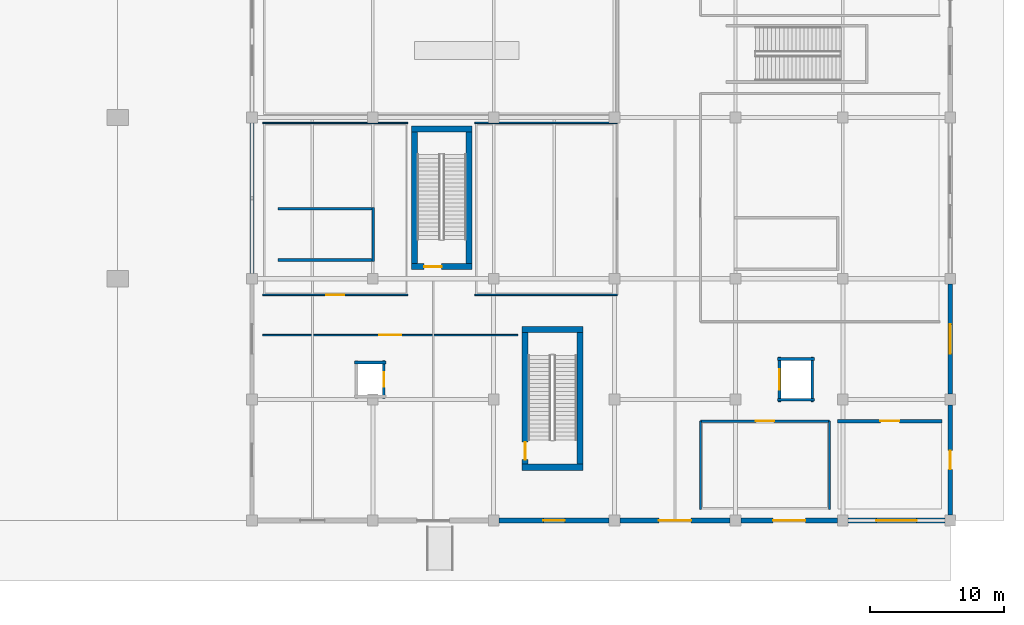
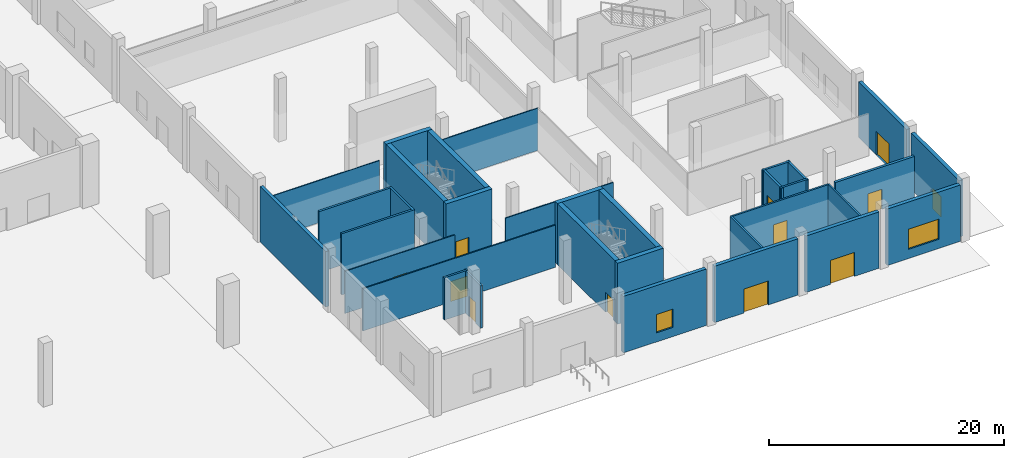
# One storey, part 22 of 65: 33 walls, 12 doors, 2 windows, 14 openings.
"""IFC4 building model written with IfcOpenShell, lengths in metres."""

from ifc_helpers import new_model, si_unit, direction, frame, frame_2d, origin, place, context, subcontext, project, spatial, rectangle, extrude, material, layer, layer_set, type_object, element, fill, save


model = new_model("IFC4")

# Units and contexts
model_context = context("Model", 3, precision=1e-05, world=origin(), true_north=direction((0.0, 1.0)))
body_context = subcontext(model_context, "Body", "Model", "MODEL_VIEW")
ifc_project = project(units=[si_unit("LENGTHUNIT", "METRE"), si_unit("AREAUNIT", "SQUARE_METRE"), si_unit("VOLUMEUNIT", "CUBIC_METRE"), si_unit("PLANEANGLEUNIT", "RADIAN"), si_unit("MASSUNIT", "GRAM", prefix="KILO")], contexts=[model_context])

# Site, building, storey
site_placement = place(None, origin())
site = spatial("IfcSite", under=ifc_project, at=site_placement, CompositionType="ELEMENT")
building_placement = place(site_placement, origin())
building = spatial("IfcBuilding", under=site, at=building_placement, Name="Chuanluo Vaults Station", CompositionType="ELEMENT")
storey_placement = place(building_placement, origin())
storey = spatial("IfcBuildingStorey", under=building, at=storey_placement, Name="L00", CompositionType="ELEMENT", Elevation=0.0)

# Walls
ifc_material_1 = material(Name="Concrete C50", Category="concrete")
ifc_layer_1 = layer(ifc_material_1, 0.449951171875)
ifc_layer_set_1 = layer_set([ifc_layer_1], Name="Concrete C50")
wall_type_1 = type_object("IfcWallType", Name="WL-COR-450", PredefinedType="SHEAR", material=ifc_layer_set_1)
for number, where, z_axis, x_axis, name in (
    (1, (152.16259765625, 18.675048828125, 0.0), (0.0, 0.0, 1.0), (0.0, 1.0, 0.0), "Core K4 left shear wall"),
    (2, (148.092529296875, 29.37255859375, 0.0), (0.0, 0.0, 1.0), (0.0, -1.0, 0.0), "Core K4 right shear wall"),
):
    element("IfcWall", number, at=place(storey_placement, frame(where, z_axis=z_axis, x_axis=x_axis)), inside=storey, type_object=wall_type_1, Name=name, PredefinedType="SHEAR", context=body_context, shape_type="SweptSolid", body=[
        extrude(rectangle(XDim=10.697509765625, YDim=0.449951171875, at=frame_2d((5.3486328125, 0.0))), origin(), (0.0, 0.0, 1.0), 6.360107421875),
    ])
wall_1_placement = place(storey_placement, frame((152.387451171875, 29.1474609375, 0.0), z_axis=(0.0, 0.0, 1.0), x_axis=(-1.0, 0.0, 0.0)))
element("IfcWall", 3, at=wall_1_placement, inside=storey, type_object=wall_type_1, Name="Core K4 far shear wall", PredefinedType="SHEAR", context=body_context, shape_type="SweptSolid", body=[
    extrude(rectangle(XDim=4.52001953125, YDim=0.449951171875, at=frame_2d((2.260009765625, 0.0))), origin(), (0.0, 0.0, 1.0), 6.360107421875),
])

# Wall, opening, door
wall_2_placement = place(storey_placement, frame((147.867431640625, 18.89990234375, 0.0), z_axis=(0.0, 0.0, 1.0), x_axis=(1.0, 0.0, 0.0)))
wall_2 = element("IfcWall", 4, at=wall_2_placement, inside=storey, type_object=wall_type_1, Name="Core K4 near shear wall", PredefinedType="SHEAR", context=body_context, shape_type="SweptSolid", body=[
    extrude(rectangle(XDim=4.52001953125, YDim=0.449951171875, at=frame_2d((2.260009765625, 0.0))), origin(), (0.0, 0.0, 1.0), 6.360107421875),
])
opening_1_placement = place(wall_2_placement, frame((0.949951171875, 0.0, 0.0)))
opening_1 = element("IfcOpeningElement", 5, at=opening_1_placement, cuts=wall_2, Name="Opening FD-05", PredefinedType="OPENING", context=body_context, shape_type="SweptSolid", body=[
    extrude(rectangle(XDim=1.300048828125, YDim=2.10009765625, at=frame_2d((0.64990234375, 1.050048828125))), frame((0.0, 0.2351, 0.0), z_axis=(0.0, -1.0, 0.0), x_axis=(1.0, 0.0, 0.0)), (0.0, 0.0, 1.0), 0.46995),
])
ifc_material_2 = material(Name="Fire-rated steel leaf", Category="steel")
door_type_1 = type_object("IfcDoorType", Name="DR-FIR-1300x2100", OperationType="NOTDEFINED", PredefinedType="DOOR", material=ifc_material_2)
door_1_placement = place(opening_1_placement, origin())
door_1 = element("IfcDoor", 6, at=door_1_placement, inside=storey, type_object=door_type_1, Name="D-080 Stair ST-04 fire door", OperationType="SINGLE_SWING_LEFT", OverallHeight=2.10009765625, OverallWidth=1.300048828125, PredefinedType="DOOR", context=body_context, shape_type="SweptSolid", body=[
    extrude(rectangle(XDim=1.300048828125, YDim=2.10009765625, at=frame_2d((0.64990234375, 1.050048828125))), frame((0.0, 0.02490234375, 0.0), z_axis=(0.0, -1.0, 0.0), x_axis=(1.0, 0.0, 0.0)), (0.0, 0.0, 1.0), 0.050048828125),
])
fill(opening_1, door_1)

# Wall
wall_3_placement = place(storey_placement, frame((160.41259765625, 3.737548828125, 0.0), z_axis=(0.0, 0.0, 1.0), x_axis=(0.0, 1.0, 0.0)))
element("IfcWall", 7, at=wall_3_placement, inside=storey, type_object=wall_type_1, Name="Core K5 left shear wall", PredefinedType="SHEAR", context=body_context, shape_type="SweptSolid", body=[
    extrude(rectangle(XDim=10.697509765625, YDim=0.449951171875, at=frame_2d((5.3486328125, 0.0))), origin(), (0.0, 0.0, 1.0), 6.360107421875),
])

# Wall, opening, door
wall_4_placement = place(storey_placement, frame((156.342529296875, 14.43505859375, 0.0), z_axis=(0.0, 0.0, 1.0), x_axis=(0.0, -1.0, 0.0)))
wall_4 = element("IfcWall", 8, at=wall_4_placement, inside=storey, type_object=wall_type_1, Name="Core K5 right shear wall", PredefinedType="SHEAR", context=body_context, shape_type="SweptSolid", body=[
    extrude(rectangle(XDim=10.697509765625, YDim=0.449951171875, at=frame_2d((5.3486328125, 0.0))), origin(), (0.0, 0.0, 1.0), 6.360107421875),
])
opening_2_placement = place(wall_4_placement, frame((8.597412109375, 0.0, 0.0)))
opening_2 = element("IfcOpeningElement", 9, at=opening_2_placement, cuts=wall_4, Name="Opening FD-05", PredefinedType="OPENING", context=body_context, shape_type="SweptSolid", body=[
    extrude(rectangle(XDim=1.300048828125, YDim=2.10009765625, at=frame_2d((0.64990234375, 1.050048828125))), frame((0.0, 0.2351, 0.0), z_axis=(0.0, -1.0, 0.0), x_axis=(1.0, 0.0, 0.0)), (0.0, 0.0, 1.0), 0.46995),
])
door_2_placement = place(opening_2_placement, origin())
door_2 = element("IfcDoor", 10, at=door_2_placement, inside=storey, type_object=door_type_1, Name="D-085 Stair ST-05 fire door", OperationType="SINGLE_SWING_RIGHT", OverallHeight=2.10009765625, OverallWidth=1.300048828125, PredefinedType="DOOR", context=body_context, shape_type="SweptSolid", body=[
    extrude(rectangle(XDim=1.300048828125, YDim=2.10009765625, at=frame_2d((0.64990234375, 1.050048828125))), frame((0.0, 0.02490234375, 0.0), z_axis=(0.0, -1.0, 0.0), x_axis=(1.0, 0.0, 0.0)), (0.0, 0.0, 1.0), 0.050048828125),
])
fill(opening_2, door_2)

# Walls
for number, where, z_axis, x_axis, name in (
    (11, (160.637451171875, 14.2099609375, 0.0), (0.0, 0.0, 1.0), (-1.0, 0.0, 0.0), "Core K5 far shear wall"),
    (12, (156.117431640625, 3.96240234375, 0.0), (0.0, 0.0, 1.0), (1.0, 0.0, 0.0), "Core K5 near shear wall"),
):
    element("IfcWall", number, at=place(storey_placement, frame(where, z_axis=z_axis, x_axis=x_axis)), inside=storey, type_object=wall_type_1, Name=name, PredefinedType="SHEAR", context=body_context, shape_type="SweptSolid", body=[
        extrude(rectangle(XDim=4.52001953125, YDim=0.449951171875, at=frame_2d((2.260009765625, 0.0))), origin(), (0.0, 0.0, 1.0), 6.360107421875),
    ])
ifc_material_3 = material(Name="Concrete C40", Category="concrete")
ifc_layer_2 = layer(ifc_material_3, 0.320068359375)
ifc_layer_set_2 = layer_set([ifc_layer_2], Name="Concrete C40")
wall_type_2 = type_object("IfcWallType", Name="WL-EXT-320", PredefinedType="SOLIDWALL", material=ifc_layer_set_2)
wall_5_placement = place(storey_placement, frame((136.0, 18.39990234375, 0.0), z_axis=(0.0, 0.0, 1.0), x_axis=(0.0, 1.0, 0.0)))
element("IfcWall", 13, at=wall_5_placement, inside=storey, type_object=wall_type_2, Name="Retail pavilion west wall 3", PredefinedType="SOLIDWALL", context=body_context, shape_type="SweptSolid", body=[
    extrude(rectangle(XDim=11.2001953125, YDim=0.320068359375, at=frame_2d((5.60009765625, 0.0))), origin(), (0.0, 0.0, 1.0), 5.784912109375),
])

# Wall, opening, window
ifc_material_4 = material(Name="Concrete C50", Category="concrete")
ifc_layer_3 = layer(ifc_material_4, 0.360107421875)
ifc_layer_set_3 = layer_set([ifc_layer_3], Name="Concrete C50")
wall_type_3 = type_object("IfcWallType", Name="WL-EXT-360", PredefinedType="SOLIDWALL", material=ifc_layer_set_3)
wall_6_placement = place(storey_placement, frame((162.60009765625, 0.0, 0.0), z_axis=(0.0, 0.0, 1.0), x_axis=(-1.0, 0.0, 0.0)))
wall_6 = element("IfcWall", 14, at=wall_6_placement, inside=storey, type_object=wall_type_3, Name="Retail south streetwall 3", PredefinedType="SOLIDWALL", context=body_context, shape_type="SweptSolid", body=[
    extrude(rectangle(XDim=8.2001953125, YDim=0.360107421875, at=frame_2d((4.10009765625, 0.0))), origin(), (0.0, 0.0, 1.0), 5.875),
])
opening_3_placement = place(wall_6_placement, frame((3.300048828125, 0.0, 0.949951171875)))
opening_3 = element("IfcOpeningElement", 15, at=opening_3_placement, cuts=wall_6, Name="Opening W-21", PredefinedType="OPENING", context=body_context, shape_type="SweptSolid", body=[
    extrude(rectangle(XDim=1.60009765625, YDim=1.89990234375, at=frame_2d((0.800048828125, 0.949951171875))), frame((0.0, 0.19018, 0.0), z_axis=(0.0, -1.0, 0.0), x_axis=(1.0, 0.0, 0.0)), (0.0, 0.0, 1.0), 0.38011),
])
ifc_material_5 = material(Name="Double-silver Low-E laminated glass", Category="glass")
window_type_1 = type_object("IfcWindowType", Name="WN-RET-1600x1900", PartitioningType="SINGLE_PANEL", PredefinedType="WINDOW", material=ifc_material_5)
window_1_placement = place(opening_3_placement, origin())
window_1 = element("IfcWindow", 16, at=window_1_placement, inside=storey, type_object=window_type_1, Name="W-048 Ground streetwall window", OverallHeight=1.89990234375, OverallWidth=1.60009765625, PartitioningType="SINGLE_PANEL", PredefinedType="WINDOW", context=body_context, shape_type="SweptSolid", body=[
    extrude(rectangle(XDim=1.60009765625, YDim=1.89990234375, at=frame_2d((0.800048828125, 0.949951171875))), frame((0.0, 0.030029296875, 0.0), z_axis=(0.0, -1.0, 0.0), x_axis=(1.0, 0.0, 0.0)), (0.0, 0.0, 1.0), 0.06005859375),
])
fill(opening_3, window_1)

# Wall, opening, door
wall_7_placement = place(storey_placement, frame((171.60009765625, 0.0, 0.0), z_axis=(0.0, 0.0, 1.0), x_axis=(-1.0, 0.0, 0.0)))
wall_7 = element("IfcWall", 17, at=wall_7_placement, inside=storey, type_object=wall_type_3, Name="Retail south streetwall 4", PredefinedType="SOLIDWALL", context=body_context, shape_type="SweptSolid", body=[
    extrude(rectangle(XDim=8.2001953125, YDim=0.360107421875, at=frame_2d((4.10009765625, 0.0))), origin(), (0.0, 0.0, 1.0), 5.875),
])
opening_4_placement = place(wall_7_placement, frame((2.89990234375, 0.0, 0.0)))
opening_4 = element("IfcOpeningElement", 18, at=opening_4_placement, cuts=wall_7, Name="Opening D-E04", PredefinedType="OPENING", context=body_context, shape_type="SweptSolid", body=[
    extrude(rectangle(XDim=2.39990234375, YDim=2.5, at=frame_2d((1.199951171875, 1.25))), frame((0.0, 0.19018, 0.0), z_axis=(0.0, -1.0, 0.0), x_axis=(1.0, 0.0, 0.0)), (0.0, 0.0, 1.0), 0.38011),
])
ifc_material_6 = material(Name="Anodised aluminium 6063-T6", Category="aluminium")
door_type_2 = type_object("IfcDoorType", Name="DR-EXT-2400x2500", OperationType="NOTDEFINED", PredefinedType="DOOR", material=ifc_material_6)
door_3_placement = place(opening_4_placement, origin())
door_3 = element("IfcDoor", 19, at=door_3_placement, inside=storey, type_object=door_type_2, Name="D-037 Retail south streetwall 4 exit door", OperationType="SINGLE_SWING_LEFT", OverallHeight=2.5, OverallWidth=2.39990234375, PredefinedType="DOOR", context=body_context, shape_type="SweptSolid", body=[
    extrude(rectangle(XDim=2.39990234375, YDim=2.5, at=frame_2d((1.199951171875, 1.25))), frame((0.0, 0.02490234375, 0.0), z_axis=(0.0, -1.0, 0.0), x_axis=(1.0, 0.0, 0.0)), (0.0, 0.0, 1.0), 0.050048828125),
])
fill(opening_4, door_3)

wall_8_placement = place(storey_placement, frame((179.60009765625, 0.0, 0.0), z_axis=(0.0, 0.0, 1.0), x_axis=(-1.0, 0.0, 0.0)))
wall_8 = element("IfcWall", 20, at=wall_8_placement, inside=storey, type_object=wall_type_3, Name="Retail south streetwall 5", PredefinedType="SOLIDWALL", context=body_context, shape_type="SweptSolid", body=[
    extrude(rectangle(XDim=7.2001953125, YDim=0.360107421875, at=frame_2d((3.60009765625, 0.0))), origin(), (0.0, 0.0, 1.0), 5.875),
])
opening_5_placement = place(wall_8_placement, frame((2.39990234375, 0.0, 0.0)))
opening_5 = element("IfcOpeningElement", 21, at=opening_5_placement, cuts=wall_8, Name="Opening D-E04", PredefinedType="OPENING", context=body_context, shape_type="SweptSolid", body=[
    extrude(rectangle(XDim=2.39990234375, YDim=2.5, at=frame_2d((1.199951171875, 1.25))), frame((0.0, 0.19018, 0.0), z_axis=(0.0, -1.0, 0.0), x_axis=(1.0, 0.0, 0.0)), (0.0, 0.0, 1.0), 0.38011),
])
door_4_placement = place(opening_5_placement, origin())
door_4 = element("IfcDoor", 22, at=door_4_placement, inside=storey, type_object=door_type_2, Name="D-038 Retail south streetwall 5 exit door", OperationType="SINGLE_SWING_RIGHT", OverallHeight=2.5, OverallWidth=2.39990234375, PredefinedType="DOOR", context=body_context, shape_type="SweptSolid", body=[
    extrude(rectangle(XDim=2.39990234375, YDim=2.5, at=frame_2d((1.199951171875, 1.25))), frame((0.0, 0.02490234375, 0.0), z_axis=(0.0, -1.0, 0.0), x_axis=(1.0, 0.0, 0.0)), (0.0, 0.0, 1.0), 0.050048828125),
])
fill(opening_5, door_4)

# Wall, opening, window
wall_9_placement = place(storey_placement, frame((187.60009765625, 0.0, 0.0), z_axis=(0.0, 0.0, 1.0), x_axis=(-1.0, 0.0, 0.0)))
wall_9 = element("IfcWall", 23, at=wall_9_placement, inside=storey, type_object=wall_type_3, Name="Fire Command south wall", PredefinedType="SOLIDWALL", context=body_context, shape_type="SweptSolid", body=[
    extrude(rectangle(XDim=7.2001953125, YDim=0.360107421875, at=frame_2d((3.60009765625, 0.0))), origin(), (0.0, 0.0, 1.0), 5.875),
])
opening_6_placement = place(wall_9_placement, frame((2.10009765625, 0.0, 0.949951171875)))
opening_6 = element("IfcOpeningElement", 24, at=opening_6_placement, cuts=wall_9, Name="Opening W-16", PredefinedType="OPENING", context=body_context, shape_type="SweptSolid", body=[
    extrude(rectangle(XDim=3.0, YDim=2.10009765625, at=frame_2d((1.5, 1.050048828125))), frame((0.0, 0.19018, 0.0), z_axis=(0.0, -1.0, 0.0), x_axis=(1.0, 0.0, 0.0)), (0.0, 0.0, 1.0), 0.38011),
])
ifc_material_7 = material(Name="Double-silver Low-E laminated glass", Category="glass")
window_type_2 = type_object("IfcWindowType", Name="WN-RET-3000x2100", PartitioningType="SINGLE_PANEL", PredefinedType="WINDOW", material=ifc_material_7)
window_2_placement = place(opening_6_placement, origin())
window_2 = element("IfcWindow", 25, at=window_2_placement, inside=storey, type_object=window_type_2, Name="W-049 Ground streetwall window", OverallHeight=2.10009765625, OverallWidth=3.0, PartitioningType="SINGLE_PANEL", PredefinedType="WINDOW", context=body_context, shape_type="SweptSolid", body=[
    extrude(rectangle(XDim=3.0, YDim=2.10009765625, at=frame_2d((1.5, 1.050048828125))), frame((0.0, 0.030029296875, 0.0), z_axis=(0.0, -1.0, 0.0), x_axis=(1.0, 0.0, 0.0)), (0.0, 0.0, 1.0), 0.06005859375),
])
fill(opening_6, window_2)

# Wall, opening, door
wall_10_placement = place(storey_placement, frame((188.0, 8.60009765625, 0.0), z_axis=(0.0, 0.0, 1.0), x_axis=(0.0, -1.0, 0.0)))
wall_10 = element("IfcWall", 26, at=wall_10_placement, inside=storey, type_object=wall_type_3, Name="Fire Command direct street exit wall", PredefinedType="SOLIDWALL", context=body_context, shape_type="SweptSolid", body=[
    extrude(rectangle(XDim=8.2001953125, YDim=0.360107421875, at=frame_2d((4.10009765625, 0.0))), origin(), (0.0, 0.0, 1.0), 5.875),
])
opening_7_placement = place(wall_10_placement, frame((3.39990234375, 0.0, 0.0)))
opening_7 = element("IfcOpeningElement", 27, at=opening_7_placement, cuts=wall_10, Name="Opening FD-04", PredefinedType="OPENING", context=body_context, shape_type="SweptSolid", body=[
    extrude(rectangle(XDim=1.39990234375, YDim=2.10009765625, at=frame_2d((0.699951171875, 1.050048828125))), frame((0.0, 0.19018, 0.0), z_axis=(0.0, -1.0, 0.0), x_axis=(1.0, 0.0, 0.0)), (0.0, 0.0, 1.0), 0.38011),
])
ifc_material_8 = material(Name="Fire-rated steel leaf", Category="steel")
door_type_3 = type_object("IfcDoorType", Name="DR-FIR-1400x2100", OperationType="NOTDEFINED", PredefinedType="DOOR", material=ifc_material_8)
door_5_placement = place(opening_7_placement, origin())
door_5 = element("IfcDoor", 28, at=door_5_placement, inside=storey, type_object=door_type_3, Name="D-039 Fire Command direct street exit wall exit door", OperationType="SINGLE_SWING_LEFT", OverallHeight=2.10009765625, OverallWidth=1.39990234375, PredefinedType="DOOR", context=body_context, shape_type="SweptSolid", body=[
    extrude(rectangle(XDim=1.39990234375, YDim=2.10009765625, at=frame_2d((0.699951171875, 1.050048828125))), frame((0.0, 0.02490234375, 0.0), z_axis=(0.0, -1.0, 0.0), x_axis=(1.0, 0.0, 0.0)), (0.0, 0.0, 1.0), 0.050048828125),
])
fill(opening_7, door_5)

wall_11_placement = place(storey_placement, frame((188.0, 17.60009765625, 0.0), z_axis=(0.0, 0.0, 1.0), x_axis=(0.0, -1.0, 0.0)))
wall_11 = element("IfcWall", 29, at=wall_11_placement, inside=storey, type_object=wall_type_3, Name="East streetwall 2", PredefinedType="SOLIDWALL", context=body_context, shape_type="SweptSolid", body=[
    extrude(rectangle(XDim=8.2001953125, YDim=0.360107421875, at=frame_2d((4.10009765625, 0.0))), origin(), (0.0, 0.0, 1.0), 5.7548828125),
])
opening_8_placement = place(wall_11_placement, frame((3.0, 0.0, 0.0)))
opening_8 = element("IfcOpeningElement", 30, at=opening_8_placement, cuts=wall_11, Name="Opening D-E05", PredefinedType="OPENING", context=body_context, shape_type="SweptSolid", body=[
    extrude(rectangle(XDim=2.199951171875, YDim=2.449951171875, at=frame_2d((1.10009765625, 1.22509765625))), frame((0.0, 0.19018, 0.0), z_axis=(0.0, -1.0, 0.0), x_axis=(1.0, 0.0, 0.0)), (0.0, 0.0, 1.0), 0.38011),
])
ifc_material_9 = material(Name="Anodised aluminium 6063-T6", Category="aluminium")
door_type_4 = type_object("IfcDoorType", Name="DR-EXT-2200x2450", OperationType="NOTDEFINED", PredefinedType="DOOR", material=ifc_material_9)
door_6_placement = place(opening_8_placement, origin())
door_6 = element("IfcDoor", 31, at=door_6_placement, inside=storey, type_object=door_type_4, Name="D-040 East streetwall 2 exit door", OperationType="SINGLE_SWING_RIGHT", OverallHeight=2.449951171875, OverallWidth=2.199951171875, PredefinedType="DOOR", context=body_context, shape_type="SweptSolid", body=[
    extrude(rectangle(XDim=2.199951171875, YDim=2.449951171875, at=frame_2d((1.10009765625, 1.22509765625))), frame((0.0, 0.02490234375, 0.0), z_axis=(0.0, -1.0, 0.0), x_axis=(1.0, 0.0, 0.0)), (0.0, 0.0, 1.0), 0.050048828125),
])
fill(opening_8, door_6)

ifc_material_10 = material(Name="Concrete C40", Category="concrete")
ifc_layer_4 = layer(ifc_material_10, 0.25)
ifc_layer_set_4 = layer_set([ifc_layer_4], Name="Concrete C40")
wall_type_4 = type_object("IfcWallType", Name="WL-FIR-250", PredefinedType="SOLIDWALL", material=ifc_layer_set_4)
wall_12_placement = place(storey_placement, frame((179.60009765625, 7.39990234375, 0.0), z_axis=(0.0, 0.0, 1.0), x_axis=(1.0, 0.0, 0.0)))
wall_12 = element("IfcWall", 32, at=wall_12_placement, inside=storey, type_object=wall_type_4, Name="L00-17 Fire Command Centre N partition", PredefinedType="SOLIDWALL", context=body_context, shape_type="SweptSolid", body=[
    extrude(rectangle(XDim=7.7998046875, YDim=0.25, at=frame_2d((3.89990234375, 0.0))), origin(), (0.0, 0.0, 1.0), 4.39990234375),
])
opening_9_placement = place(wall_12_placement, frame((3.199951171875, 0.0, 0.0)))
opening_9 = element("IfcOpeningElement", 33, at=opening_9_placement, cuts=wall_12, Name="Opening FD-04", PredefinedType="OPENING", context=body_context, shape_type="SweptSolid", body=[
    extrude(rectangle(XDim=1.39990234375, YDim=2.10009765625, at=frame_2d((0.699951171875, 1.050048828125))), frame((0.0, 0.135, 0.0), z_axis=(0.0, -1.0, 0.0), x_axis=(1.0, 0.0, 0.0)), (0.0, 0.0, 1.0), 0.27),
])
door_7_placement = place(opening_9_placement, origin())
door_7 = element("IfcDoor", 34, at=door_7_placement, inside=storey, type_object=door_type_3, Name="D-165 Fire Command Centre door", OperationType="SINGLE_SWING_RIGHT", OverallHeight=2.10009765625, OverallWidth=1.39990234375, PredefinedType="DOOR", context=body_context, shape_type="SweptSolid", body=[
    extrude(rectangle(XDim=1.39990234375, YDim=2.10009765625, at=frame_2d((0.699951171875, 1.050048828125))), frame((0.0, 0.02490234375, 0.0), z_axis=(0.0, -1.0, 0.0), x_axis=(1.0, 0.0, 0.0)), (0.0, 0.0, 1.0), 0.050048828125),
])
fill(opening_9, door_7)

ifc_material_11 = material(Name="Masonry blockwork M10", Category="masonry")
ifc_layer_5 = layer(ifc_material_11, 0.10009765625)
ifc_layer_set_5 = layer_set([ifc_layer_5], Name="Masonry blockwork M10")
wall_type_5 = type_object("IfcWallType", Name="WL-PRT-100", PredefinedType="PARTITIONING", material=ifc_layer_set_5)
wall_13_placement = place(storey_placement, frame((147.60009765625, 16.800048828125, 0.0), z_axis=(0.0, 0.0, 1.0), x_axis=(-1.0, 0.0, 0.0)))
wall_13 = element("IfcWall", 35, at=wall_13_placement, inside=storey, type_object=wall_type_5, Name="L00-15B West Travel Convenience Kiosk S partition", PredefinedType="PARTITIONING", context=body_context, shape_type="SweptSolid", body=[
    extrude(rectangle(XDim=10.800048828125, YDim=0.10009765625, at=frame_2d((5.39990234375, 0.0))), origin(), (0.0, 0.0, 1.0), 4.39990234375),
])
opening_10_placement = place(wall_13_placement, frame((4.72509765625, 0.0, 0.0)))
opening_10 = element("IfcOpeningElement", 36, at=opening_10_placement, cuts=wall_13, Name="Opening D-I04", PredefinedType="OPENING", context=body_context, shape_type="SweptSolid", body=[
    extrude(rectangle(XDim=1.35009765625, YDim=2.10009765625, at=frame_2d((0.675048828125, 1.050048828125))), frame((0.0, 0.06005, 0.0), z_axis=(0.0, -1.0, 0.0), x_axis=(1.0, 0.0, 0.0)), (0.0, 0.0, 1.0), 0.1201),
])
ifc_material_12 = material(Name="Anodised aluminium 6063-T6", Category="aluminium")
door_type_5 = type_object("IfcDoorType", Name="DR-INT-1350x2100", OperationType="NOTDEFINED", PredefinedType="DOOR", material=ifc_material_12)
door_8_placement = place(opening_10_placement, origin())
door_8 = element("IfcDoor", 37, at=door_8_placement, inside=storey, type_object=door_type_5, Name="D-162 West Travel Convenience Kiosk door", OperationType="SINGLE_SWING_LEFT", OverallHeight=2.10009765625, OverallWidth=1.35009765625, PredefinedType="DOOR", context=body_context, shape_type="SweptSolid", body=[
    extrude(rectangle(XDim=1.35009765625, YDim=2.10009765625, at=frame_2d((0.675048828125, 1.050048828125))), frame((0.0, 0.02490234375, 0.0), z_axis=(0.0, -1.0, 0.0), x_axis=(1.0, 0.0, 0.0)), (0.0, 0.0, 1.0), 0.050048828125),
])
fill(opening_10, door_8)

# Walls
wall_14_placement = place(storey_placement, frame((136.800048828125, 29.60009765625, 0.0), z_axis=(0.0, 0.0, 1.0), x_axis=(1.0, 0.0, 0.0)))
element("IfcWall", 38, at=wall_14_placement, inside=storey, type_object=wall_type_5, Name="L00-15B West Travel Convenience Kiosk N partition", PredefinedType="PARTITIONING", context=body_context, shape_type="SweptSolid", body=[
    extrude(rectangle(XDim=10.800048828125, YDim=0.10009765625, at=frame_2d((5.39990234375, 0.0))), origin(), (0.0, 0.0, 1.0), 4.39990234375),
])
ifc_material_13 = material(Name="Masonry blockwork M10", Category="masonry")
ifc_layer_6 = layer(ifc_material_13, 0.110107421875)
ifc_layer_set_6 = layer_set([ifc_layer_6], Name="Masonry blockwork M10")
wall_type_6 = type_object("IfcWallType", Name="WL-PRT-110", PredefinedType="PARTITIONING", material=ifc_layer_set_6)
for number, where, z_axis, x_axis, name in (
    (39, (163.199951171875, 16.800048828125, 0.0), (0.0, 0.0, 1.0), (-1.0, 0.0, 0.0), "L00-15 Forecourt Espresso and Tea Bar S partition"),
    (40, (152.60009765625, 29.60009765625, 0.0), (0.0, 0.0, 1.0), (1.0, 0.0, 0.0), "L00-15 Forecourt Espresso and Tea Bar N partition"),
):
    element("IfcWall", number, at=place(storey_placement, frame(where, z_axis=z_axis, x_axis=x_axis)), inside=storey, type_object=wall_type_6, Name=name, PredefinedType="PARTITIONING", context=body_context, shape_type="SweptSolid", body=[
        extrude(rectangle(XDim=10.599853515625, YDim=0.110107421875, at=frame_2d((5.2998046875, 0.0))), origin(), (0.0, 0.0, 1.0), 4.39990234375),
    ])

# Wall, opening, door
ifc_material_14 = material(Name="Masonry blockwork M10", Category="masonry")
ifc_layer_7 = layer(ifc_material_14, 0.1201171875)
ifc_layer_set_7 = layer_set([ifc_layer_7], Name="Masonry blockwork M10")
wall_type_7 = type_object("IfcWallType", Name="WL-PRT-120", PredefinedType="PARTITIONING", material=ifc_layer_set_7)
wall_15_placement = place(storey_placement, frame((136.800048828125, 13.800048828125, 0.0), z_axis=(0.0, 0.0, 1.0), x_axis=(1.0, 0.0, 0.0)))
wall_15 = element("IfcWall", 41, at=wall_15_placement, inside=storey, type_object=wall_type_7, Name="L00-14 South Pavilion Bakery and Convenience Flagship N partition", PredefinedType="PARTITIONING", context=body_context, shape_type="SweptSolid", body=[
    extrude(rectangle(XDim=19.0, YDim=0.1201171875, at=frame_2d((9.5, 0.0))), origin(), (0.0, 0.0, 1.0), 4.39990234375),
])
opening_11_placement = place(wall_15_placement, frame((8.675048828125, 0.0, 0.0)))
opening_11 = element("IfcOpeningElement", 42, at=opening_11_placement, cuts=wall_15, Name="Opening D-I02", PredefinedType="OPENING", context=body_context, shape_type="SweptSolid", body=[
    extrude(rectangle(XDim=1.64990234375, YDim=2.10009765625, at=frame_2d((0.824951171875, 1.050048828125))), frame((0.0, 0.07006, 0.0), z_axis=(0.0, -1.0, 0.0), x_axis=(1.0, 0.0, 0.0)), (0.0, 0.0, 1.0), 0.14012),
])
ifc_material_15 = material(Name="Anodised aluminium 6063-T6", Category="aluminium")
door_type_6 = type_object("IfcDoorType", Name="DR-INT-1650x2100", OperationType="NOTDEFINED", PredefinedType="DOOR", material=ifc_material_15)
door_9_placement = place(opening_11_placement, origin())
door_9 = element("IfcDoor", 43, at=door_9_placement, inside=storey, type_object=door_type_6, Name="D-160 South Pavilion Bakery and Convenience Flagship door", OperationType="SINGLE_SWING_LEFT", OverallHeight=2.10009765625, OverallWidth=1.64990234375, PredefinedType="DOOR", context=body_context, shape_type="SweptSolid", body=[
    extrude(rectangle(XDim=1.64990234375, YDim=2.10009765625, at=frame_2d((0.824951171875, 1.050048828125))), frame((0.0, 0.02490234375, 0.0), z_axis=(0.0, -1.0, 0.0), x_axis=(1.0, 0.0, 0.0)), (0.0, 0.0, 1.0), 0.050048828125),
])
fill(opening_11, door_9)

ifc_material_16 = material(Name="Autoclaved aerated concrete blockwork MU10", Category="masonry")
ifc_layer_8 = layer(ifc_material_16, 0.175048828125)
ifc_layer_set_8 = layer_set([ifc_layer_8], Name="Autoclaved aerated concrete blockwork MU10")
wall_type_8 = type_object("IfcWallType", Name="WL-PRT-175", PredefinedType="PARTITIONING", material=ifc_layer_set_8)
wall_16_placement = place(storey_placement, frame((169.39990234375, 7.39990234375, 0.0), z_axis=(0.0, 0.0, 1.0), x_axis=(1.0, 0.0, 0.0)))
wall_16 = element("IfcWall", 44, at=wall_16_placement, inside=storey, type_object=wall_type_8, Name="L00-16B South-East Florist and Gift Shop N partition", PredefinedType="PARTITIONING", context=body_context, shape_type="SweptSolid", body=[
    extrude(rectangle(XDim=9.60009765625, YDim=0.175048828125, at=frame_2d((4.800048828125, 0.0))), origin(), (0.0, 0.0, 1.0), 4.39990234375),
])
opening_12_placement = place(wall_16_placement, frame((4.125, 0.0, 0.0)))
opening_12 = element("IfcOpeningElement", 45, at=opening_12_placement, cuts=wall_16, Name="Opening D-I04", PredefinedType="OPENING", context=body_context, shape_type="SweptSolid", body=[
    extrude(rectangle(XDim=1.35009765625, YDim=2.10009765625, at=frame_2d((0.675048828125, 1.050048828125))), frame((0.0, 0.0974, 0.0), z_axis=(0.0, -1.0, 0.0), x_axis=(1.0, 0.0, 0.0)), (0.0, 0.0, 1.0), 0.19505),
])
door_10_placement = place(opening_12_placement, origin())
door_10 = element("IfcDoor", 46, at=door_10_placement, inside=storey, type_object=door_type_5, Name="D-164 South-East Florist and Gift Shop door", OperationType="SINGLE_SWING_LEFT", OverallHeight=2.10009765625, OverallWidth=1.35009765625, PredefinedType="DOOR", context=body_context, shape_type="SweptSolid", body=[
    extrude(rectangle(XDim=1.35009765625, YDim=2.10009765625, at=frame_2d((0.675048828125, 1.050048828125))), frame((0.0, 0.02490234375, 0.0), z_axis=(0.0, -1.0, 0.0), x_axis=(1.0, 0.0, 0.0)), (0.0, 0.0, 1.0), 0.050048828125),
])
fill(opening_12, door_10)

# Walls
for number, where, z_axis, x_axis, name in (
    (47, (169.39990234375, 0.800048828125, 0.0), (0.0, 0.0, 1.0), (0.0, 1.0, 0.0), "L00-16B South-East Florist and Gift Shop W partition"),
    (48, (179.0, 7.39990234375, 0.0), (0.0, 0.0, 1.0), (0.0, -1.0, 0.0), "L00-16B South-East Florist and Gift Shop E partition"),
):
    element("IfcWall", number, at=place(storey_placement, frame(where, z_axis=z_axis, x_axis=x_axis)), inside=storey, type_object=wall_type_8, Name=name, PredefinedType="PARTITIONING", context=body_context, shape_type="SweptSolid", body=[
        extrude(rectangle(XDim=6.599853515625, YDim=0.175048828125, at=frame_2d((3.2998046875, 0.0))), origin(), (0.0, 0.0, 1.0), 4.39990234375),
    ])
ifc_material_17 = material(Name="Concrete C40", Category="concrete")
ifc_layer_9 = layer(ifc_material_17, 0.199951171875)
ifc_layer_set_9 = layer_set([ifc_layer_9], Name="Concrete C40")
wall_type_9 = type_object("IfcWallType", Name="WL-SHF-200", PredefinedType="SOLIDWALL", material=ifc_layer_set_9)
for number, where, z_axis, x_axis, name in (
    (49, (137.925048828125, 19.39990234375, 0.0), (0.0, 0.0, 1.0), (1.0, 0.0, 0.0), "Stair ST-28 south shaft wall L00"),
    (50, (145.12255859375, 23.219970703125, 0.0), (0.0, 0.0, 1.0), (-1.0, 0.0, 0.0), "Stair ST-28 north shaft wall L00"),
):
    element("IfcWall", number, at=place(storey_placement, frame(where, z_axis=z_axis, x_axis=x_axis)), inside=storey, type_object=wall_type_9, Name=name, PredefinedType="SOLIDWALL", context=body_context, shape_type="SweptSolid", body=[
        extrude(rectangle(XDim=7.197509765625, YDim=0.199951171875, at=frame_2d((3.5986328125, 0.0))), origin(), (0.0, 0.0, 1.0), 6.360107421875),
    ])
wall_17_placement = place(storey_placement, frame((145.0224609375, 19.300048828125, 0.0), z_axis=(0.0, 0.0, 1.0), x_axis=(0.0, 1.0, 0.0)))
element("IfcWall", 51, at=wall_17_placement, inside=storey, type_object=wall_type_9, Name="Stair ST-28 far shaft wall L00", PredefinedType="SOLIDWALL", context=body_context, shape_type="SweptSolid", body=[
    extrude(rectangle(XDim=4.02001953125, YDim=0.199951171875, at=frame_2d((2.010009765625, 0.0))), origin(), (0.0, 0.0, 1.0), 6.360107421875),
])
wall_18_placement = place(storey_placement, frame((145.969970703125, 11.77001953125, 0.0), z_axis=(0.0, 0.0, 1.0), x_axis=(-1.0, 0.0, 0.0)))
element("IfcWall", 52, at=wall_18_placement, inside=storey, type_object=wall_type_9, Name="Lift EL-02 shaft wall L00 +Y", PredefinedType="SOLIDWALL", context=body_context, shape_type="SweptSolid", body=[
    extrude(rectangle(XDim=2.340087890625, YDim=0.199951171875, at=frame_2d((1.169921875, 0.0))), origin(), (0.0, 0.0, 1.0), 4.39990234375),
])

# Wall, opening, door
wall_19_placement = place(storey_placement, frame((145.820068359375, 9.080078125, 0.0), z_axis=(0.0, 0.0, 1.0), x_axis=(0.0, 1.0, 0.0)))
wall_19 = element("IfcWall", 53, at=wall_19_placement, inside=storey, type_object=wall_type_9, Name="Lift EL-02 shaft wall L00 +X", PredefinedType="SOLIDWALL", context=body_context, shape_type="SweptSolid", body=[
    extrude(rectangle(XDim=2.83984375, YDim=0.199951171875, at=frame_2d((1.419921875, 0.0))), origin(), (0.0, 0.0, 1.0), 4.39990234375),
])
opening_13_placement = place(wall_19_placement, frame((0.8701171875, 0.0, 0.0)))
opening_13 = element("IfcOpeningElement", 54, at=opening_13_placement, cuts=wall_19, Name="Opening LD-01", PredefinedType="OPENING", context=body_context, shape_type="SweptSolid", body=[
    extrude(rectangle(XDim=1.10009765625, YDim=2.14990234375, at=frame_2d((0.550048828125, 1.074951171875))), frame((0.0, 0.1101, 0.0), z_axis=(0.0, -1.0, 0.0), x_axis=(1.0, 0.0, 0.0)), (0.0, 0.0, 1.0), 0.21995),
])
ifc_material_18 = material(Name="Brushed stainless steel 304", Category="steel")
door_type_7 = type_object("IfcDoorType", Name="DR-LFT-1100x2150", OperationType="SLIDING_TO_LEFT", PredefinedType="DOOR", material=ifc_material_18)
door_11_placement = place(opening_13_placement, origin())
door_11 = element("IfcDoor", 55, at=door_11_placement, inside=storey, type_object=door_type_7, Name="LD-EL-02-02 Lift EL-02 sliding landing door L00", OperationType="SLIDING_TO_LEFT", OverallHeight=2.14990234375, OverallWidth=1.10009765625, PredefinedType="DOOR", context=body_context, shape_type="SweptSolid", body=[
    extrude(rectangle(XDim=1.10009765625, YDim=2.14990234375, at=frame_2d((0.550048828125, 1.074951171875))), frame((0.0, 0.02490234375, 0.0), z_axis=(0.0, -1.0, 0.0), x_axis=(1.0, 0.0, 0.0)), (0.0, 0.0, 1.0), 0.050048828125),
])
fill(opening_13, door_11)

# Walls
for number, where, z_axis, x_axis, name in (
    (56, (175.1298828125, 8.97998046875, 0.0), (0.0, 0.0, 1.0), (1.0, 0.0, 0.0), "Lift GL-01 shaft wall L00 -Y"),
    (57, (177.8701171875, 12.02001953125, 0.0), (0.0, 0.0, 1.0), (-1.0, 0.0, 0.0), "Lift GL-01 shaft wall L00 +Y"),
):
    element("IfcWall", number, at=place(storey_placement, frame(where, z_axis=z_axis, x_axis=x_axis)), inside=storey, type_object=wall_type_9, Name=name, PredefinedType="SOLIDWALL", context=body_context, shape_type="SweptSolid", body=[
        extrude(rectangle(XDim=2.740234375, YDim=0.199951171875, at=frame_2d((1.3701171875, 0.0))), origin(), (0.0, 0.0, 1.0), 4.39990234375),
    ])

# Wall, opening, door
wall_20_placement = place(storey_placement, frame((175.280029296875, 12.169921875, 0.0), z_axis=(0.0, 0.0, 1.0), x_axis=(0.0, -1.0, 0.0)))
wall_20 = element("IfcWall", 58, at=wall_20_placement, inside=storey, type_object=wall_type_9, Name="Lift GL-01 shaft wall L00 -X", PredefinedType="SOLIDWALL", context=body_context, shape_type="SweptSolid", body=[
    extrude(rectangle(XDim=3.33984375, YDim=0.199951171875, at=frame_2d((1.669921875, 0.0))), origin(), (0.0, 0.0, 1.0), 4.39990234375),
])
opening_14_placement = place(wall_20_placement, frame((0.919921875, 0.0, 0.0)))
opening_14 = element("IfcOpeningElement", 59, at=opening_14_placement, cuts=wall_20, Name="Opening LD-03", PredefinedType="OPENING", context=body_context, shape_type="SweptSolid", body=[
    extrude(rectangle(XDim=1.5, YDim=2.199951171875, at=frame_2d((0.75, 1.10009765625))), frame((0.0, 0.1101, 0.0), z_axis=(0.0, -1.0, 0.0), x_axis=(1.0, 0.0, 0.0)), (0.0, 0.0, 1.0), 0.21995),
])
ifc_material_19 = material(Name="Brushed stainless steel 304", Category="steel")
door_type_8 = type_object("IfcDoorType", Name="DR-LFT-1500x2200", OperationType="SLIDING_TO_LEFT", PredefinedType="DOOR", material=ifc_material_19)
door_12_placement = place(opening_14_placement, origin())
door_12 = element("IfcDoor", 60, at=door_12_placement, inside=storey, type_object=door_type_8, Name="LD-GL-01-02 Lift GL-01 sliding landing door L00", OperationType="SLIDING_TO_LEFT", OverallHeight=2.199951171875, OverallWidth=1.5, PredefinedType="DOOR", context=body_context, shape_type="SweptSolid", body=[
    extrude(rectangle(XDim=1.5, YDim=2.199951171875, at=frame_2d((0.75, 1.10009765625))), frame((0.0, 0.02490234375, 0.0), z_axis=(0.0, -1.0, 0.0), x_axis=(1.0, 0.0, 0.0)), (0.0, 0.0, 1.0), 0.050048828125),
])
fill(opening_14, door_12)

# Wall
wall_21_placement = place(storey_placement, frame((177.719970703125, 8.830078125, 0.0), z_axis=(0.0, 0.0, 1.0), x_axis=(0.0, 1.0, 0.0)))
element("IfcWall", 61, at=wall_21_placement, inside=storey, type_object=wall_type_9, Name="Lift GL-01 shaft wall L00 +X", PredefinedType="SOLIDWALL", context=body_context, shape_type="SweptSolid", body=[
    extrude(rectangle(XDim=3.33984375, YDim=0.199951171875, at=frame_2d((1.669921875, 0.0))), origin(), (0.0, 0.0, 1.0), 4.39990234375),
])

save(model, "model.ifc")
